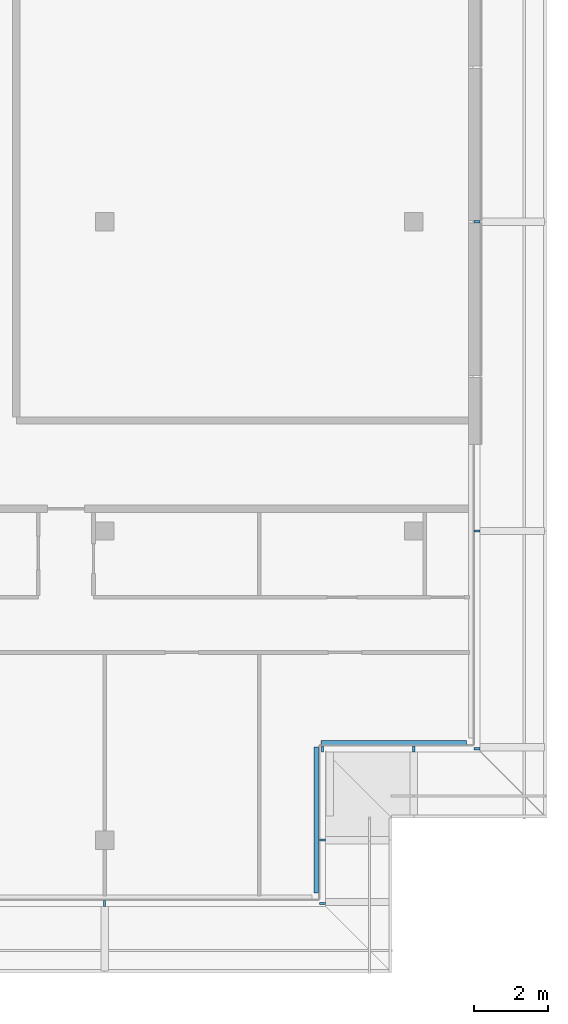
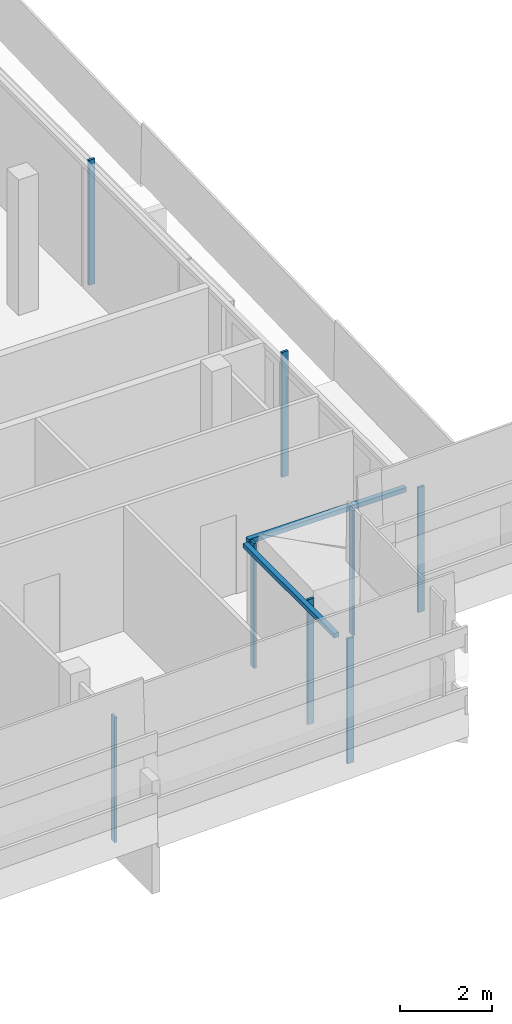
# One storey, part 12 of 33: 10 members, 4 elements without a shape of their own.
"""IFC4 building model written with IfcOpenShell, lengths in metres."""

from ifc_helpers import new_model, si_unit, direction, frame, origin, origin_2d, place, context, subcontext, project, spatial, rectangle, extrude, material, material_profile, profile_set, type_object, element, aggregate, save


model = new_model("IFC4")

# Units and contexts
model_context = context("Model", 3, precision=1e-05, world=origin(), true_north=direction((0.0, 1.0)))
body_context = subcontext(model_context, "Body", "Model", "MODEL_VIEW")
ifc_project = project(units=[si_unit("LENGTHUNIT", "METRE"), si_unit("AREAUNIT", "SQUARE_METRE"), si_unit("VOLUMEUNIT", "CUBIC_METRE"), si_unit("PLANEANGLEUNIT", "RADIAN"), si_unit("MASSUNIT", "GRAM", prefix="KILO")], contexts=[model_context])

# Site, building, storey
site_placement = place(None, origin())
site = spatial("IfcSite", under=ifc_project, at=site_placement, CompositionType="ELEMENT")
building_placement = place(site_placement, origin())
building = spatial("IfcBuilding", under=site, at=building_placement, Name="Saffron Gate Tower", CompositionType="ELEMENT")
storey_placement = place(building_placement, frame((0.0, 0.0, 263.550048828125)))
storey = spatial("IfcBuildingStorey", under=building, at=storey_placement, Name="L63", CompositionType="ELEMENT", Elevation=263.550048828125)

# Curtain wall, member
ifc_material = material(Name="Aluminium, bronze anodised", Category="aluminium")
curtain_wall_type_1 = type_object("IfcCurtainWallType", Name="CWS1 curtain wall front facade", PredefinedType="NOTDEFINED", material=ifc_material)
curtain_wall_1_placement = place(storey_placement, origin())
curtain_wall_1 = element("IfcCurtainWall", 1, at=curtain_wall_1_placement, inside=storey, type_object=curtain_wall_type_1, Name="CWS1 run 1", PredefinedType="NOTDEFINED")
ifc_material_profile_1 = material_profile(ifc_material, rectangle(XDim=0.159912109375, YDim=0.06005859375, at=origin_2d()))
ifc_profile_set_1 = profile_set([ifc_material_profile_1], Name="Aluminium, bronze anodised")
member_type_1 = type_object("IfcMemberType", Name="CWS1 mullion 60x160", PredefinedType="MULLION", material=ifc_profile_set_1)
member_1_placement = place(storey_placement, frame((117.0, 30.080078125, 0.0), z_axis=(0.0, 0.0, 1.0), x_axis=(0.0, 1.0, 0.0)))
member_1 = element("IfcMember", 2, at=member_1_placement, type_object=member_type_1, Name="CWS1 mullion 9", PredefinedType="MULLION", context=body_context, shape_type="SweptSolid", body=[
    extrude(rectangle(XDim=0.159912109375, YDim=0.06005859375, at=origin_2d()), origin(), (0.0, 0.0, 1.0), 3.320068359375),
])
aggregate(curtain_wall_1, [member_1])

# Curtain wall, members
curtain_wall_type_2 = type_object("IfcCurtainWallType", Name="CWS2 curtain wall side facades", PredefinedType="NOTDEFINED", material=ifc_material)
curtain_wall_2_placement = place(storey_placement, origin())
curtain_wall_2 = element("IfcCurtainWall", 3, at=curtain_wall_2_placement, inside=storey, type_object=curtain_wall_type_2, Name="CWS2 run 4", PredefinedType="NOTDEFINED")
ifc_material_profile_2 = material_profile(ifc_material, rectangle(XDim=0.159912109375, YDim=0.06005859375, at=origin_2d()))
ifc_profile_set_2 = profile_set([ifc_material_profile_2], Name="Aluminium, bronze anodised")
member_type_2 = type_object("IfcMemberType", Name="CWS2 mullion 60x160", PredefinedType="MULLION", material=ifc_profile_set_2)
member_2_placement = place(storey_placement, frame((127.1201171875, 34.280029296875, 0.0), z_axis=(0.0, 0.0, 1.0), x_axis=(-1.0, 0.0, 0.0)))
member_2 = element("IfcMember", 4, at=member_2_placement, type_object=member_type_2, Name="CWS2 mullion 1", PredefinedType="MULLION", context=body_context, shape_type="SweptSolid", body=[
    extrude(rectangle(XDim=0.159912109375, YDim=0.06005859375, at=origin_2d()), origin(), (0.0, 0.0, 1.0), 3.320068359375),
])
member_3_placement = place(storey_placement, frame((127.1201171875, 40.199951171875, 0.0), z_axis=(0.0, 0.0, 1.0), x_axis=(-1.0, 0.0, 0.0)))
member_3 = element("IfcMember", 5, at=member_3_placement, type_object=member_type_2, Name="CWS2 mullion 2", PredefinedType="MULLION", context=body_context, shape_type="SweptSolid", body=[
    extrude(rectangle(XDim=0.159912109375, YDim=0.06005859375, at=origin_2d()), origin(), (0.0, 0.0, 1.0), 3.320068359375),
])
member_4_placement = place(storey_placement, frame((127.1201171875, 48.60009765625, 0.0), z_axis=(0.0, 0.0, 1.0), x_axis=(-1.0, 0.0, 0.0)))
member_4 = element("IfcMember", 6, at=member_4_placement, type_object=member_type_2, Name="CWS2 mullion 3", PredefinedType="MULLION", context=body_context, shape_type="SweptSolid", body=[
    extrude(rectangle(XDim=0.159912109375, YDim=0.06005859375, at=origin_2d()), origin(), (0.0, 0.0, 1.0), 3.320068359375),
])
aggregate(curtain_wall_2, [member_2, member_3, member_4])

# Curtain wall, member
curtain_wall_type_3 = type_object("IfcCurtainWallType", Name="CWS4 curtain wall corner returns", PredefinedType="NOTDEFINED", material=ifc_material)
curtain_wall_3_placement = place(storey_placement, origin())
curtain_wall_3 = element("IfcCurtainWall", 7, at=curtain_wall_3_placement, inside=storey, type_object=curtain_wall_type_3, Name="CWS4 run 2", PredefinedType="NOTDEFINED")
ifc_material_profile_3 = material_profile(ifc_material, rectangle(XDim=0.1201171875, YDim=0.1201171875, at=origin_2d()))
ifc_profile_set_3 = profile_set([ifc_material_profile_3], Name="Aluminium, bronze anodised")
member_type_3 = type_object("IfcMemberType", Name="CWS4 head transom", PredefinedType="USERDEFINED", material=ifc_profile_set_3)
member_5_placement = place(storey_placement, frame((122.751953125, 30.367919921875, 3.260009765625), z_axis=(0.0, 1.0, 0.0), x_axis=(-1.0, 0.0, 0.0)))
member_5 = element("IfcMember", 8, at=member_5_placement, type_object=member_type_3, Name="CWS4 head transom", ObjectType="TRANSOM", PredefinedType="USERDEFINED", context=body_context, shape_type="SweptSolid", body=[
    extrude(rectangle(XDim=0.1201171875, YDim=0.1201171875, at=origin_2d()), origin(), (0.0, 0.0, 1.0), 3.9599609375),
])

curtain_wall_4_placement = place(storey_placement, origin())
curtain_wall_4 = element("IfcCurtainWall", 9, at=curtain_wall_4_placement, inside=storey, type_object=curtain_wall_type_3, Name="CWS4 run 3", PredefinedType="NOTDEFINED")
member_6_placement = place(storey_placement, frame((122.8720703125, 34.447998046875, 3.260009765625), z_axis=(1.0, 0.0, 0.0), x_axis=(0.0, 1.0, 0.0)))
member_6 = element("IfcMember", 10, at=member_6_placement, type_object=member_type_3, Name="CWS4 head transom", ObjectType="TRANSOM", PredefinedType="USERDEFINED", context=body_context, shape_type="SweptSolid", body=[
    extrude(rectangle(XDim=0.1201171875, YDim=0.1201171875, at=origin_2d()), origin(), (0.0, 0.0, 1.0), 3.9599609375),
])

# Member
ifc_material_profile_4 = material_profile(ifc_material, rectangle(XDim=0.159912109375, YDim=0.06005859375, at=origin_2d()))
ifc_profile_set_4 = profile_set([ifc_material_profile_4], Name="Aluminium, bronze anodised")
member_type_4 = type_object("IfcMemberType", Name="CWS4 mullion 60x160", PredefinedType="MULLION", material=ifc_profile_set_4)
member_7_placement = place(storey_placement, frame((122.919921875, 30.080078125, 0.0), z_axis=(0.0, 0.0, 1.0), x_axis=(-1.0, 0.0, 0.0)))
member_7 = element("IfcMember", 11, at=member_7_placement, type_object=member_type_4, Name="CWS4 mullion 1", PredefinedType="MULLION", context=body_context, shape_type="SweptSolid", body=[
    extrude(rectangle(XDim=0.159912109375, YDim=0.06005859375, at=origin_2d()), origin(), (0.0, 0.0, 1.0), 3.320068359375),
])

member_8_placement = place(storey_placement, frame((122.919921875, 31.800048828125, 0.0), z_axis=(0.0, 0.0, 1.0), x_axis=(-1.0, 0.0, 0.0)))
member_8 = element("IfcMember", 12, at=member_8_placement, type_object=member_type_4, Name="CWS4 mullion 2", PredefinedType="MULLION", context=body_context, shape_type="SweptSolid", body=[
    extrude(rectangle(XDim=0.159912109375, YDim=0.06005859375, at=origin_2d()), origin(), (0.0, 0.0, 1.0), 3.320068359375),
])

aggregate(curtain_wall_3, [member_7, member_8, member_5])

member_9_placement = place(storey_placement, frame((122.919921875, 34.280029296875, 0.0), z_axis=(0.0, 0.0, 1.0), x_axis=(0.0, 1.0, 0.0)))
member_9 = element("IfcMember", 13, at=member_9_placement, type_object=member_type_4, Name="CWS4 mullion 1", PredefinedType="MULLION", context=body_context, shape_type="SweptSolid", body=[
    extrude(rectangle(XDim=0.159912109375, YDim=0.06005859375, at=origin_2d()), origin(), (0.0, 0.0, 1.0), 3.320068359375),
])

member_10_placement = place(storey_placement, frame((125.39990234375, 34.280029296875, 0.0), z_axis=(0.0, 0.0, 1.0), x_axis=(0.0, 1.0, 0.0)))
member_10 = element("IfcMember", 14, at=member_10_placement, type_object=member_type_4, Name="CWS4 mullion 2", PredefinedType="MULLION", context=body_context, shape_type="SweptSolid", body=[
    extrude(rectangle(XDim=0.159912109375, YDim=0.06005859375, at=origin_2d()), origin(), (0.0, 0.0, 1.0), 3.320068359375),
])

aggregate(curtain_wall_4, [member_9, member_10, member_6])

save(model, "model.ifc")
